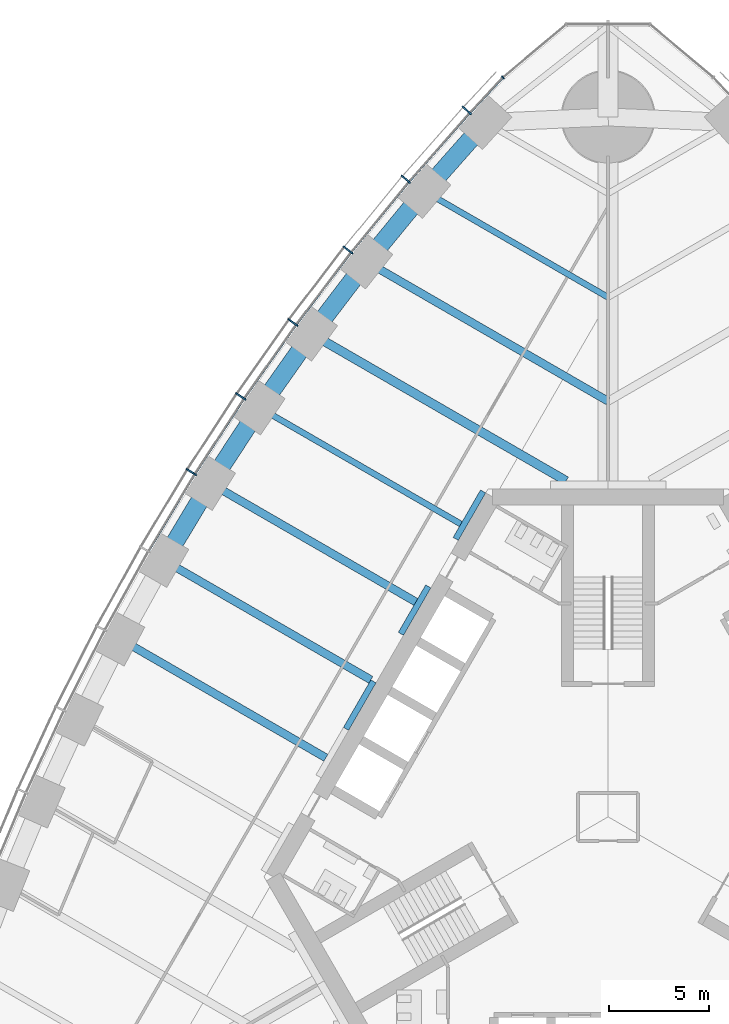
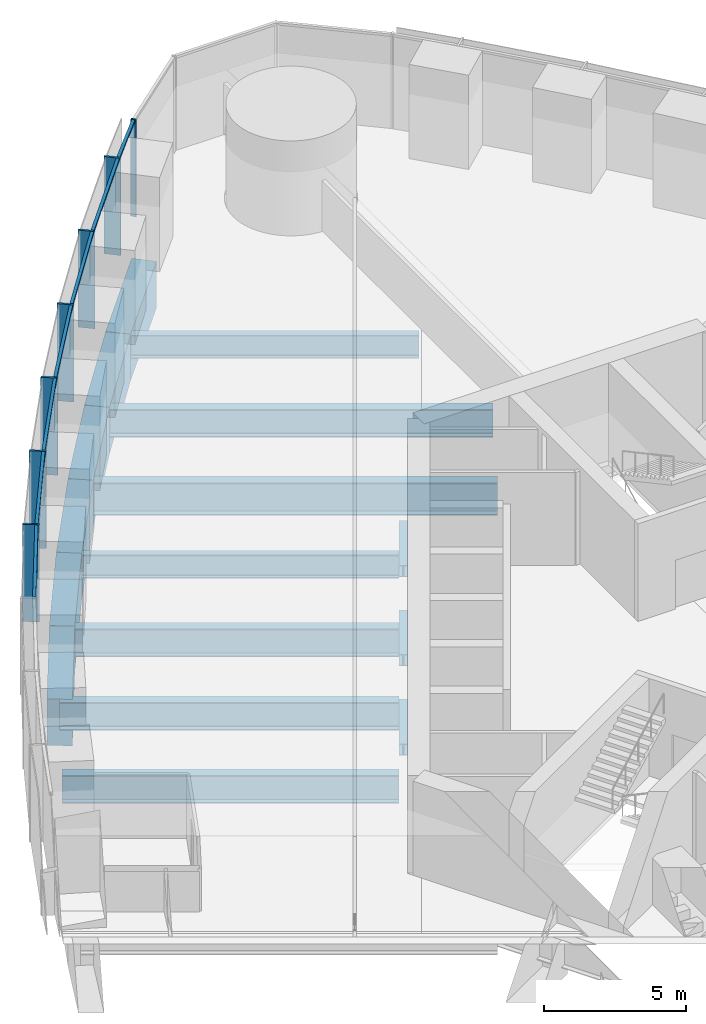
# One storey, part 4 of 18: 16 beams, 14 members, 2 elements without a shape of their own.
"""IFC4 building model written with IfcOpenShell, lengths in metres."""

from ifc_helpers import new_model, si_unit, direction, frame, origin, origin_2d, place, context, subcontext, project, spatial, rectangle, i_section, extrude, material, material_profile, profile_set, type_object, element, aggregate, save


model = new_model("IFC4")

# Units and contexts
model_context = context("Model", 3, precision=1e-05, world=origin(), true_north=direction((0.0, 1.0)))
body_context = subcontext(model_context, "Body", "Model", "MODEL_VIEW")
ifc_project = project(units=[si_unit("LENGTHUNIT", "METRE"), si_unit("AREAUNIT", "SQUARE_METRE"), si_unit("VOLUMEUNIT", "CUBIC_METRE"), si_unit("PLANEANGLEUNIT", "RADIAN"), si_unit("MASSUNIT", "GRAM", prefix="KILO")], contexts=[model_context])

# Site, building, storey
site_placement = place(None, origin())
site = spatial("IfcSite", under=ifc_project, at=site_placement, CompositionType="ELEMENT")
building_placement = place(site_placement, origin())
building = spatial("IfcBuilding", under=site, at=building_placement, Name="Trefoil Bronze Tower", CompositionType="ELEMENT")
storey_placement = place(building_placement, frame((0.0, 0.0, 111.5)))
storey = spatial("IfcBuildingStorey", under=building, at=storey_placement, Name="L25", CompositionType="ELEMENT", Elevation=111.5)

# Curtain wall, members
ifc_material_1 = material(Name="Tinted solar-control glass", Category="glass")
curtain_wall_type_1 = type_object("IfcCurtainWallType", Name="Bronze office curtain wall", PredefinedType="USERDEFINED", material=ifc_material_1)
curtain_wall_1_placement = place(storey_placement, origin())
curtain_wall_1 = element("IfcCurtainWall", 1, at=curtain_wall_1_placement, inside=storey, type_object=curtain_wall_type_1, Name="CW-A L25 F3", ObjectType="CURTAIN WALL", PredefinedType="USERDEFINED")
ifc_material_2 = material(Name="Bronze-finish aluminium", Category="aluminium")
ifc_material_profile_1 = material_profile(ifc_material_2, rectangle(XDim=0.60009765625, YDim=0.080078125, at=origin_2d()), Name="CW-A mullion")
ifc_profile_set_1 = profile_set([ifc_material_profile_1], Name="Bronze-finish aluminium")
member_type_1 = type_object("IfcMemberType", Name="Bronze office curtain wall mullion", PredefinedType="MULLION", material=ifc_profile_set_1)
member_1_placement = place(storey_placement, frame((-7.070068359375, 35.332275390625, 0.0), z_axis=(0.0, 0.0, 1.0), x_axis=(0.740360700327, -0.672209813534, 0.0)))
member_1 = element("IfcMember", 2, at=member_1_placement, type_object=member_type_1, Name="CW-A L25 F3 mullion 2", PredefinedType="MULLION", context=body_context, shape_type="SweptSolid", body=[
    extrude(rectangle(XDim=0.60009765625, YDim=0.080078125, at=origin_2d()), origin(), (0.0, 0.0, 1.0), 4.179931640625),
])
member_2_placement = place(storey_placement, frame((-10.11474609375, 31.8828125, 0.0), z_axis=(0.0, 0.0, 1.0), x_axis=(0.761721651066, -0.647904411389, 0.0)))
member_2 = element("IfcMember", 3, at=member_2_placement, type_object=member_type_1, Name="CW-A L25 F3 mullion 3", PredefinedType="MULLION", context=body_context, shape_type="SweptSolid", body=[
    extrude(rectangle(XDim=0.60009765625, YDim=0.080078125, at=origin_2d()), origin(), (0.0, 0.0, 1.0), 4.179931640625),
])
member_3_placement = place(storey_placement, frame((-13.01220703125, 28.34716796875, 0.0), z_axis=(0.0, 0.0, 1.0), x_axis=(0.78487913905, -0.619648882098, 0.0)))
member_3 = element("IfcMember", 4, at=member_3_placement, type_object=member_type_1, Name="CW-A L25 F3 mullion 4", PredefinedType="MULLION", context=body_context, shape_type="SweptSolid", body=[
    extrude(rectangle(XDim=0.60009765625, YDim=0.080078125, at=origin_2d()), origin(), (0.0, 0.0, 1.0), 4.179931640625),
])
member_4_placement = place(storey_placement, frame((-15.764404296875, 24.7275390625, 0.0), z_axis=(0.0, 0.0, 1.0), x_axis=(0.806874522901, -0.590722865897, 0.0)))
member_4 = element("IfcMember", 5, at=member_4_placement, type_object=member_type_1, Name="CW-A L25 F3 mullion 5", PredefinedType="MULLION", context=body_context, shape_type="SweptSolid", body=[
    extrude(rectangle(XDim=0.60009765625, YDim=0.080078125, at=origin_2d()), origin(), (0.0, 0.0, 1.0), 4.179931640625),
])
member_5_placement = place(storey_placement, frame((-18.373046875, 21.025146484375, 0.0), z_axis=(0.0, 0.0, 1.0), x_axis=(0.827723925749, -0.561135547566, 0.0)))
member_5 = element("IfcMember", 6, at=member_5_placement, type_object=member_type_1, Name="CW-A L25 F3 mullion 6", PredefinedType="MULLION", context=body_context, shape_type="SweptSolid", body=[
    extrude(rectangle(XDim=0.60009765625, YDim=0.080078125, at=origin_2d()), origin(), (0.0, 0.0, 1.0), 4.179931640625),
])
member_6_placement = place(storey_placement, frame((-20.840087890625, 17.24072265625, 0.0), z_axis=(0.0, 0.0, 1.0), x_axis=(0.84743864936, -0.530893337283, 0.0)))
member_6 = element("IfcMember", 7, at=member_6_placement, type_object=member_type_1, Name="CW-A L25 F3 mullion 7", PredefinedType="MULLION", context=body_context, shape_type="SweptSolid", body=[
    extrude(rectangle(XDim=0.60009765625, YDim=0.080078125, at=origin_2d()), origin(), (0.0, 0.0, 1.0), 4.179931640625),
])
ifc_material_3 = material(Name="Bronze-finish aluminium", Category="aluminium")
ifc_material_profile_2 = material_profile(ifc_material_3, rectangle(XDim=0.1201171875, YDim=0.10009765625, at=origin_2d()), Name="CW-A transom")
ifc_profile_set_2 = profile_set([ifc_material_profile_2], Name="Bronze-finish aluminium")
member_type_2 = type_object("IfcMemberType", Name="Bronze office curtain wall transom", PredefinedType="USERDEFINED", material=ifc_profile_set_2)
member_7_placement = place(storey_placement, frame((-5.296630859375, 36.9384765625, 4.1298828125), z_axis=(-0.682489214428, -0.730895664366, 0.0), x_axis=(0.730895664366, -0.682489214428, 0.0)))
member_7 = element("IfcMember", 8, at=member_7_placement, type_object=member_type_2, Name="CW-A L25 F3 transom 1", ObjectType="TRANSOM", PredefinedType="USERDEFINED", context=body_context, shape_type="SweptSolid", body=[
    extrude(rectangle(XDim=0.1201171875, YDim=0.10009765625, at=origin_2d()), origin(), (0.0, 0.0, 1.0), 2.340087890625),
])
member_8_placement = place(storey_placement, frame((-6.949462890625, 35.166748046875, 4.1298828125), z_axis=(-0.66173618877, -0.749736764786, 0.0), x_axis=(0.749736764786, -0.66173618877, 0.0)))
member_8 = element("IfcMember", 9, at=member_8_placement, type_object=member_type_2, Name="CW-A L25 F3 transom 2", ObjectType="TRANSOM", PredefinedType="USERDEFINED", context=body_context, shape_type="SweptSolid", body=[
    extrude(rectangle(XDim=0.1201171875, YDim=0.10009765625, at=origin_2d()), origin(), (0.0, 0.0, 1.0), 4.510986328125),
])
member_9_placement = place(storey_placement, frame((-9.98876953125, 31.720947265625, 4.1298828125), z_axis=(-0.633848872297, -0.773456919995, 0.0), x_axis=(0.773456919995, -0.633848872297, 0.0)))
member_9 = element("IfcMember", 10, at=member_9_placement, type_object=member_type_2, Name="CW-A L25 F3 transom 3", ObjectType="TRANSOM", PredefinedType="USERDEFINED", context=body_context, shape_type="SweptSolid", body=[
    extrude(rectangle(XDim=0.1201171875, YDim=0.10009765625, at=origin_2d()), origin(), (0.0, 0.0, 1.0), 4.480224609375),
])
member_10_placement = place(storey_placement, frame((-12.880615234375, 28.18994140625, 4.1298828125), z_axis=(-0.605229114572, -0.796051329296, 0.0), x_axis=(0.796051329296, -0.605229114572, 0.0)))
member_10 = element("IfcMember", 11, at=member_10_placement, type_object=member_type_2, Name="CW-A L25 F3 transom 4", ObjectType="TRANSOM", PredefinedType="USERDEFINED", context=body_context, shape_type="SweptSolid", body=[
    extrude(rectangle(XDim=0.1201171875, YDim=0.10009765625, at=origin_2d()), origin(), (0.0, 0.0, 1.0), 4.456298828125),
])
member_11_placement = place(storey_placement, frame((-15.626953125, 24.5751953125, 4.1298828125), z_axis=(-0.576017858824, -0.817437108478, 0.0), x_axis=(0.817437108478, -0.576017858824, 0.0)))
member_11 = element("IfcMember", 12, at=member_11_placement, type_object=member_type_2, Name="CW-A L25 F3 transom 5", ObjectType="TRANSOM", PredefinedType="USERDEFINED", context=body_context, shape_type="SweptSolid", body=[
    extrude(rectangle(XDim=0.1201171875, YDim=0.10009765625, at=origin_2d()), origin(), (0.0, 0.0, 1.0), 4.4384765625),
])
member_12_placement = place(storey_placement, frame((-18.23046875, 20.877685546875, 4.1298828125), z_axis=(-0.546079336226, -0.837733465099, 0.0), x_axis=(0.837733465099, -0.546079336226, 0.0)))
member_12 = element("IfcMember", 13, at=member_12_placement, type_object=member_type_2, Name="CW-A L25 F3 transom 6", ObjectType="TRANSOM", PredefinedType="USERDEFINED", context=body_context, shape_type="SweptSolid", body=[
    extrude(rectangle(XDim=0.1201171875, YDim=0.10009765625, at=origin_2d()), origin(), (0.0, 0.0, 1.0), 4.426513671875),
])
member_13_placement = place(storey_placement, frame((-20.692138671875, 17.0986328125, 4.1298828125), z_axis=(-0.515526794174, -0.856873458854, 0.0), x_axis=(0.856873458854, -0.515526794174, 0.0)))
member_13 = element("IfcMember", 14, at=member_13_placement, type_object=member_type_2, Name="CW-A L25 F3 transom 7", ObjectType="TRANSOM", PredefinedType="USERDEFINED", context=body_context, shape_type="SweptSolid", body=[
    extrude(rectangle(XDim=0.1201171875, YDim=0.10009765625, at=origin_2d()), origin(), (0.0, 0.0, 1.0), 4.4208984375),
])
aggregate(curtain_wall_1, [member_1, member_2, member_3, member_4, member_5, member_6, member_7, member_8, member_9, member_10, member_11, member_12, member_13])

# Curtain wall, member
ifc_material_4 = material(Name="Tinted solar-control glass", Category="glass")
curtain_wall_type_2 = type_object("IfcCurtainWallType", Name="Bronze rounded corner curtain wall", PredefinedType="USERDEFINED", material=ifc_material_4)
curtain_wall_2_placement = place(storey_placement, origin())
curtain_wall_2 = element("IfcCurtainWall", 15, at=curtain_wall_2_placement, inside=storey, type_object=curtain_wall_type_2, Name="CW-B L25 K2", ObjectType="CURTAIN WALL", PredefinedType="USERDEFINED")
ifc_material_5 = material(Name="Bronze-finish aluminium", Category="aluminium")
ifc_material_profile_3 = material_profile(ifc_material_5, rectangle(XDim=0.199951171875, YDim=0.06005859375, at=origin_2d()), Name="CW-B mullion")
ifc_profile_set_3 = profile_set([ifc_material_profile_3], Name="Bronze-finish aluminium")
member_type_3 = type_object("IfcMemberType", Name="Bronze rounded corner curtain wall mullion", PredefinedType="MULLION", material=ifc_profile_set_3)
member_14_placement = place(storey_placement, frame((-5.260498046875, 36.975830078125, 0.0), z_axis=(0.0, 0.0, 1.0), x_axis=(0.642787609687, -0.766044443119, 0.0)))
member_14 = element("IfcMember", 16, at=member_14_placement, type_object=member_type_3, Name="CW-B L25 K2 mullion 4", PredefinedType="MULLION", context=body_context, shape_type="SweptSolid", body=[
    extrude(rectangle(XDim=0.199951171875, YDim=0.06005859375, at=origin_2d()), origin(), (0.0, 0.0, 1.0), 4.179931640625),
])
aggregate(curtain_wall_2, [member_14])

# Beams
ifc_material_6 = material(Name="Steel C355", Category="steel")
ifc_material_profile_4 = material_profile(ifc_material_6, i_section(OverallWidth=0.300048828125, OverallDepth=0.5, WebThickness=0.014404296875, FlangeThickness=0.028076171875, FilletRadius=0.027099609375, at=origin_2d()), Name="HEB 500")
ifc_profile_set_4 = profile_set([ifc_material_profile_4], Name="Steel C355")
beam_type_1 = type_object("IfcBeamType", Name="Core seat beam HEB 500", PredefinedType="BEAM", material=ifc_profile_set_4)
for number, where, z_axis, x_axis, name in (
    (17, (-6.249755859375, 16.27490234375, -0.449951171875), (-0.500035825175, -0.866004719122, 0.0), (0.866004719122, -0.500035825175, 0.0), "Core seat beam F3/-2 L25"),
    (18, (-8.9921875, 11.52490234375, -0.449951171875), (-0.500035825175, -0.866004719122, 0.0), (0.866004719122, -0.500035825175, 0.0), "Core seat beam F3/-1 L25"),
    (19, (-11.734619140625, 6.77490234375, -0.449951171875), (-0.500035825175, -0.866004719122, 0.0), (0.866004719122, -0.500035825175, 0.0), "Core seat beam F3/+0 L25"),
):
    element("IfcBeam", number, at=place(storey_placement, frame(where, z_axis=z_axis, x_axis=x_axis)), inside=storey, type_object=beam_type_1, Name=name, PredefinedType="BEAM", context=body_context, shape_type="SweptSolid", body=[
        extrude(i_section(OverallWidth=0.300048828125, OverallDepth=0.5, WebThickness=0.014404296875, FlangeThickness=0.028076171875, FilletRadius=0.027099609375, at=origin_2d()), origin(), (0.0, 0.0, 1.0), 2.742431640625),
    ])
ifc_material_7 = material(Name="Steel C355", Category="steel")
ifc_material_profile_5 = material_profile(ifc_material_7, i_section(OverallWidth=0.300048828125, OverallDepth=1.0, WebThickness=0.01904296875, FlangeThickness=0.035888671875, FilletRadius=0.030029296875, at=origin_2d()), Name="HEB 1000")
ifc_profile_set_5 = profile_set([ifc_material_profile_5], Name="Steel C355")
beam_type_2 = type_object("IfcBeamType", Name="Floor beam HEB 1000", PredefinedType="BEAM", material=ifc_profile_set_5)
beam_1_placement = place(storey_placement, frame((-9.181884765625, 31.281982421875, -0.699951171875), z_axis=(0.866021079084, -0.500007490527, 0.0), x_axis=(0.500007490527, 0.866021079084, 0.0)))
element("IfcBeam", 20, at=beam_1_placement, inside=storey, type_object=beam_type_2, Name="Floor beam F3/-5 L25", PredefinedType="BEAM", context=body_context, shape_type="SweptSolid", body=[
    extrude(i_section(OverallWidth=0.300048828125, OverallDepth=1.0, WebThickness=0.01904296875, FlangeThickness=0.035888671875, FilletRadius=0.030029296875, at=origin_2d()), origin(), (0.0, 0.0, 1.0), 10.602294921875),
])
ifc_material_8 = material(Name="Steel C355", Category="steel")
ifc_material_profile_6 = material_profile(ifc_material_8, i_section(OverallWidth=0.302001953125, OverallDepth=1.008056640625, WebThickness=0.02099609375, FlangeThickness=0.0400390625, FilletRadius=0.030029296875, at=origin_2d()), Name="HEM 1000")
ifc_profile_set_6 = profile_set([ifc_material_profile_6], Name="Steel C355")
beam_type_3 = type_object("IfcBeamType", Name="Floor beam HEM 1000", PredefinedType="BEAM", material=ifc_profile_set_6)
beam_2_placement = place(storey_placement, frame((-17.43017578125, 20.45556640625, -0.7041015625), z_axis=(0.866030626868, -0.499990953245, 0.0), x_axis=(0.499990953245, 0.866030626868, 0.0)))
element("IfcBeam", 21, at=beam_2_placement, inside=storey, type_object=beam_type_3, Name="Floor beam F3/-2 L25", PredefinedType="BEAM", context=body_context, shape_type="SweptSolid", body=[
    extrude(i_section(OverallWidth=0.302001953125, OverallDepth=1.008056640625, WebThickness=0.02099609375, FlangeThickness=0.0400390625, FilletRadius=0.030029296875, at=origin_2d()), origin(), (0.0, 0.0, 1.0), 11.622802734375),
])
ifc_material_9 = material(Name="Steel C355", Category="steel")
ifc_material_profile_7 = material_profile(ifc_material_9, i_section(OverallWidth=0.39990234375, OverallDepth=1.199951171875, WebThickness=0.02001953125, FlangeThickness=0.0400390625, FilletRadius=0.010009765625, at=origin_2d()), Name="WPG 1200")
ifc_profile_set_7 = profile_set([ifc_material_profile_7], Name="Steel C355")
beam_type_4 = type_object("IfcBeamType", Name="Floor beam WPG 1200", PredefinedType="BEAM", material=ifc_profile_set_7)
beam_3_placement = place(storey_placement, frame((-12.07666015625, 27.757080078125, -0.800048828125), z_axis=(0.866026983775, -0.499997263366, 0.0), x_axis=(0.499997263366, 0.866026983775, 0.0)))
element("IfcBeam", 22, at=beam_3_placement, inside=storey, type_object=beam_type_4, Name="Floor beam F3/-4 L25", PredefinedType="BEAM", context=body_context, shape_type="SweptSolid", body=[
    extrude(i_section(OverallWidth=0.39990234375, OverallDepth=1.199951171875, WebThickness=0.02001953125, FlangeThickness=0.0400390625, FilletRadius=0.010009765625, at=origin_2d()), origin(), (0.0, 0.0, 1.0), 13.94482421875),
])
beam_4_placement = place(storey_placement, frame((-19.892578125, 16.68115234375, -0.800048828125), z_axis=(0.866024236736, -0.500002021381, 0.0), x_axis=(0.500002021381, 0.866024236736, 0.0)))
element("IfcBeam", 23, at=beam_4_placement, inside=storey, type_object=beam_type_4, Name="Floor beam F3/-1 L25", PredefinedType="BEAM", context=body_context, shape_type="SweptSolid", body=[
    extrude(i_section(OverallWidth=0.39990234375, OverallDepth=1.199951171875, WebThickness=0.02001953125, FlangeThickness=0.0400390625, FilletRadius=0.010009765625, at=origin_2d()), origin(), (0.0, 0.0, 1.0), 11.8681640625),
])
beam_5_placement = place(storey_placement, frame((-22.21337890625, 12.824951171875, -0.800048828125), z_axis=(0.866028062731, -0.499995394541, 0.0), x_axis=(0.499995394541, 0.866028062731, 0.0)))
element("IfcBeam", 24, at=beam_5_placement, inside=storey, type_object=beam_type_4, Name="Floor beam F3/+0 L25", PredefinedType="BEAM", context=body_context, shape_type="SweptSolid", body=[
    extrude(i_section(OverallWidth=0.39990234375, OverallDepth=1.199951171875, WebThickness=0.02001953125, FlangeThickness=0.0400390625, FilletRadius=0.010009765625, at=origin_2d()), origin(), (0.0, 0.0, 1.0), 11.94970703125),
])
beam_6_placement = place(storey_placement, frame((-24.392578125, 8.886962890625, -0.800048828125), z_axis=(0.866024236736, -0.500002021381, 0.0), x_axis=(0.500002021381, 0.866024236736, 0.0)))
element("IfcBeam", 25, at=beam_6_placement, inside=storey, type_object=beam_type_4, Name="Floor beam F3/+1 L25", PredefinedType="BEAM", context=body_context, shape_type="SweptSolid", body=[
    extrude(i_section(OverallWidth=0.39990234375, OverallDepth=1.199951171875, WebThickness=0.02001953125, FlangeThickness=0.0400390625, FilletRadius=0.010009765625, at=origin_2d()), origin(), (0.0, 0.0, 1.0), 11.8681640625),
])
ifc_material_10 = material(Name="Steel C355", Category="steel")
ifc_material_profile_8 = material_profile(ifc_material_10, i_section(OverallWidth=0.449951171875, OverallDepth=1.39990234375, WebThickness=0.02294921875, FlangeThickness=0.044921875, FilletRadius=0.011962890625, at=origin_2d()), Name="WPG 1400")
ifc_profile_set_8 = profile_set([ifc_material_profile_8], Name="Steel C355")
beam_type_5 = type_object("IfcBeamType", Name="Floor beam WPG 1400", PredefinedType="BEAM", material=ifc_profile_set_8)
beam_7_placement = place(storey_placement, frame((-14.825439453125, 24.14794921875, -0.89990234375), z_axis=(0.866027342682, -0.499996641717, 0.0), x_axis=(0.499996641717, 0.866027342682, 0.0)))
element("IfcBeam", 26, at=beam_7_placement, inside=storey, type_object=beam_type_5, Name="Floor beam F3/-3 L25", PredefinedType="BEAM", context=body_context, shape_type="SweptSolid", body=[
    extrude(i_section(OverallWidth=0.449951171875, OverallDepth=1.39990234375, WebThickness=0.02294921875, FlangeThickness=0.044921875, FilletRadius=0.011962890625, at=origin_2d()), origin(), (0.0, 0.0, 1.0), 14.69580078125),
])
ifc_material_11 = material(Name="Concrete B80", Category="concrete")
ifc_material_profile_9 = material_profile(ifc_material_11, rectangle(XDim=0.89990234375, YDim=2.0, at=origin_2d()), Name="RC 900x2000")
ifc_profile_set_9 = profile_set([ifc_material_profile_9], Name="Concrete B80")
beam_type_6 = type_object("IfcBeamType", Name="Spandrel beam RC 900x2000", PredefinedType="SPANDREL", material=ifc_profile_set_9)
beam_8_placement = place(storey_placement, frame((-6.13916015625, 34.72119140625, -1.199951171875), z_axis=(-0.662616326239, -0.748959013699, 0.0), x_axis=(0.748959013699, -0.662616326239, 0.0)))
element("IfcBeam", 27, at=beam_8_placement, inside=storey, type_object=beam_type_6, Name="Spandrel F3.2 L25", PredefinedType="SPANDREL", context=body_context, shape_type="SweptSolid", body=[
    extrude(rectangle(XDim=0.89990234375, YDim=2.0, at=origin_2d()), origin(), (0.0, 0.0, 1.0), 4.592041015625),
])
beam_9_placement = place(storey_placement, frame((-9.181884765625, 31.281982421875, -1.199951171875), z_axis=(-0.634650386838, -0.772799383079, 0.0), x_axis=(0.772799383079, -0.634650386838, 0.0)))
element("IfcBeam", 28, at=beam_9_placement, inside=storey, type_object=beam_type_6, Name="Spandrel F3.3 L25", PredefinedType="SPANDREL", context=body_context, shape_type="SweptSolid", body=[
    extrude(rectangle(XDim=0.89990234375, YDim=2.0, at=origin_2d()), origin(), (0.0, 0.0, 1.0), 4.561279296875),
])
beam_10_placement = place(storey_placement, frame((-12.07666015625, 27.757080078125, -1.199951171875), z_axis=(-0.605898901788, -0.795541652468, 0.0), x_axis=(0.795541652468, -0.605898901788, 0.0)))
element("IfcBeam", 29, at=beam_10_placement, inside=storey, type_object=beam_type_6, Name="Spandrel F3.4 L25", PredefinedType="SPANDREL", context=body_context, shape_type="SweptSolid", body=[
    extrude(rectangle(XDim=0.89990234375, YDim=2.0, at=origin_2d()), origin(), (0.0, 0.0, 1.0), 4.53662109375),
])
beam_11_placement = place(storey_placement, frame((-14.825439453125, 24.14794921875, -1.199951171875), z_axis=(-0.576439228712, -0.81714002203, 0.0), x_axis=(0.81714002203, -0.576439228712, 0.0)))
element("IfcBeam", 30, at=beam_11_placement, inside=storey, type_object=beam_type_6, Name="Spandrel F3.5 L25", PredefinedType="SPANDREL", context=body_context, shape_type="SweptSolid", body=[
    extrude(rectangle(XDim=0.89990234375, YDim=2.0, at=origin_2d()), origin(), (0.0, 0.0, 1.0), 4.5185546875),
])
beam_12_placement = place(storey_placement, frame((-17.43017578125, 20.45556640625, -1.199951171875), z_axis=(-0.546396670296, -0.83752652417, 0.0), x_axis=(0.83752652417, -0.546396670296, 0.0)))
element("IfcBeam", 31, at=beam_12_placement, inside=storey, type_object=beam_type_6, Name="Spandrel F3.6 L25", PredefinedType="SPANDREL", context=body_context, shape_type="SweptSolid", body=[
    extrude(rectangle(XDim=0.89990234375, YDim=2.0, at=origin_2d()), origin(), (0.0, 0.0, 1.0), 4.506591796875),
])
beam_13_placement = place(storey_placement, frame((-19.892578125, 16.68115234375, -1.199951171875), z_axis=(-0.515651979972, -0.856798129988, 0.0), x_axis=(0.856798129988, -0.515651979972, 0.0)))
element("IfcBeam", 32, at=beam_13_placement, inside=storey, type_object=beam_type_6, Name="Spandrel F3.7 L25", PredefinedType="SPANDREL", context=body_context, shape_type="SweptSolid", body=[
    extrude(rectangle(XDim=0.89990234375, YDim=2.0, at=origin_2d()), origin(), (0.0, 0.0, 1.0), 4.500732421875),
])

save(model, "model.ifc")
